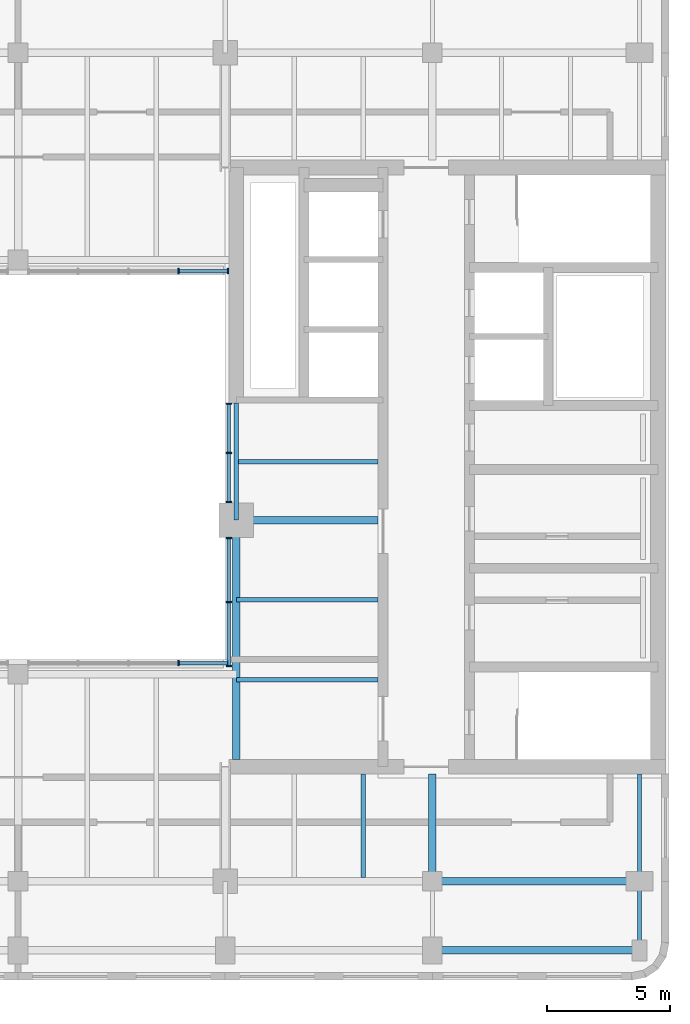
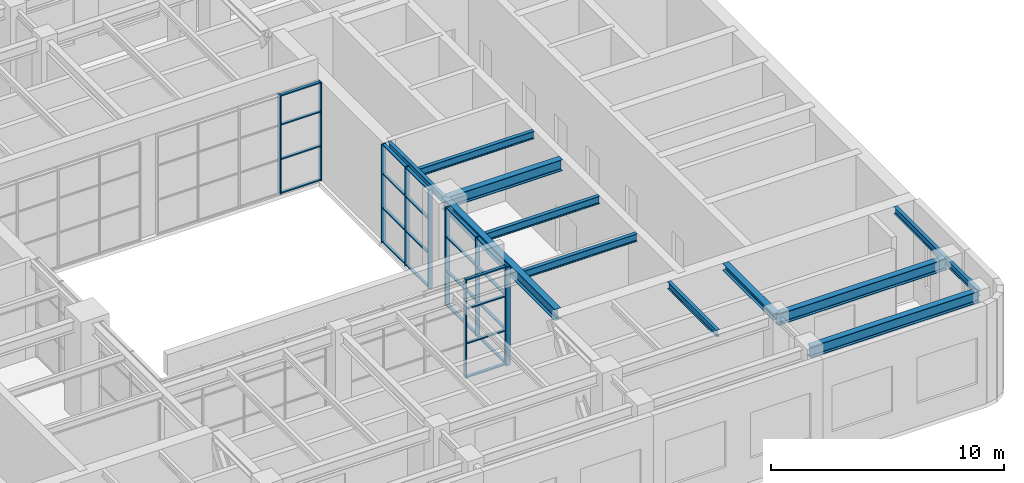
# One storey, part 4 of 11: 34 members, 12 beams, 4 elements without a shape of their own.
"""IFC4 building model written with IfcOpenShell, lengths in metres."""

from ifc_helpers import new_model, si_unit, direction, frame, origin, origin_2d, place, context, subcontext, project, spatial, rectangle, i_section, extrude, material, material_profile, profile_set, type_object, element, aggregate, save


model = new_model("IFC4")

# Units and contexts
model_context = context("Model", 3, precision=1e-05, world=origin(), true_north=direction((0.0, 1.0)))
body_context = subcontext(model_context, "Body", "Model", "MODEL_VIEW")
ifc_project = project(units=[si_unit("LENGTHUNIT", "METRE"), si_unit("AREAUNIT", "SQUARE_METRE"), si_unit("VOLUMEUNIT", "CUBIC_METRE"), si_unit("PLANEANGLEUNIT", "RADIAN"), si_unit("MASSUNIT", "GRAM", prefix="KILO")], contexts=[model_context])

# Site, building, storey
site_placement = place(None, origin())
site = spatial("IfcSite", under=ifc_project, at=site_placement, CompositionType="ELEMENT")
building_placement = place(site_placement, origin())
building = spatial("IfcBuilding", under=site, at=building_placement, Name="Claustro Exchange Tower", CompositionType="ELEMENT")
storey_placement = place(building_placement, frame((0.0, 0.0, 281.699951171875)))
storey = spatial("IfcBuildingStorey", under=building, at=storey_placement, Name="L64", CompositionType="ELEMENT", Elevation=281.699951171875)

# Beams
ifc_material_1 = material(Name="Steel S355", Category="steel")
ifc_material_profile_1 = material_profile(ifc_material_1, i_section(OverallWidth=0.300048828125, OverallDepth=0.590087890625, WebThickness=0.012939453125, FlangeThickness=0.02490234375, FilletRadius=0.027099609375, at=origin_2d()), Name="HE 600 A")
ifc_profile_set_1 = profile_set([ifc_material_profile_1], Name="Steel S355")
beam_type_1 = type_object("IfcBeamType", Name="B10 HE 600 A floor girder", PredefinedType="BEAM", material=ifc_profile_set_1)
for number, where, z_axis, x_axis, name in (
    (1, (42.0, 5.60009765625, 4.85498046875), (1.0, 0.0, 0.0), (0.0, 1.0, 0.0), "Beam B10 ROOF"),
    (2, (42.0, 8.39990234375, 4.85498046875), (1.0, 0.0, 0.0), (0.0, 1.0, 0.0), "Beam B10 ROOF"),
):
    element("IfcBeam", number, at=place(storey_placement, frame(where, z_axis=z_axis, x_axis=x_axis)), inside=storey, type_object=beam_type_1, Name=name, PredefinedType="BEAM", context=body_context, shape_type="SweptSolid", body=[
        extrude(i_section(OverallWidth=0.300048828125, OverallDepth=0.590087890625, WebThickness=0.012939453125, FlangeThickness=0.02490234375, FilletRadius=0.027099609375, at=origin_2d()), origin(), (0.0, 0.0, 1.0), 8.39990234375),
    ])
beam_1_placement = place(storey_placement, frame((34.050048828125, 23.050048828125, 4.85498046875), z_axis=(1.0, 0.0, 0.0), x_axis=(0.0, 1.0, 0.0)))
element("IfcBeam", 3, at=beam_1_placement, inside=storey, type_object=beam_type_1, Name="Beam B10 core step framing ROOF", PredefinedType="BEAM", context=body_context, shape_type="SweptSolid", body=[
    extrude(i_section(OverallWidth=0.300048828125, OverallDepth=0.590087890625, WebThickness=0.012939453125, FlangeThickness=0.02490234375, FilletRadius=0.027099609375, at=origin_2d()), origin(), (0.0, 0.0, 1.0), 5.75),
])
beam_2_placement = place(storey_placement, frame((34.050048828125, 13.35009765625, 4.85498046875), z_axis=(0.0, 1.0, 0.0), x_axis=(-1.0, 0.0, 0.0)))
element("IfcBeam", 4, at=beam_2_placement, inside=storey, type_object=beam_type_1, Name="Beam B10 core step framing ROOF", PredefinedType="BEAM", context=body_context, shape_type="SweptSolid", body=[
    extrude(i_section(OverallWidth=0.300048828125, OverallDepth=0.590087890625, WebThickness=0.012939453125, FlangeThickness=0.02490234375, FilletRadius=0.027099609375, at=origin_2d()), origin(), (0.0, 0.0, 1.0), 9.699951171875),
])
ifc_material_2 = material(Name="Steel S355", Category="steel")
ifc_material_profile_2 = material_profile(ifc_material_2, i_section(OverallWidth=0.179931640625, OverallDepth=0.39990234375, WebThickness=0.008544921875, FlangeThickness=0.013427734375, FilletRadius=0.02099609375, at=origin_2d()), Name="IPE 400")
ifc_profile_set_2 = profile_set([ifc_material_profile_2], Name="Steel S355")
beam_type_2 = type_object("IfcBeamType", Name="B11 IPE 400 secondary beam", PredefinedType="BEAM", material=ifc_profile_set_2)
for number, where, z_axis, x_axis, name in (
    (5, (34.050048828125, 16.583251953125, 4.949951171875), (1.0, 0.0, 0.0), (0.0, 1.0, 0.0), "Beam B11 core step framing ROOF"),
    (6, (34.050048828125, 19.816650390625, 4.949951171875), (1.0, 0.0, 0.0), (0.0, 1.0, 0.0), "Beam B11 core step framing ROOF"),
    (7, (34.050048828125, 25.425048828125, 4.949951171875), (1.0, 0.0, 0.0), (0.0, 1.0, 0.0), "Beam B11 core step framing ROOF"),
):
    element("IfcBeam", number, at=place(storey_placement, frame(where, z_axis=z_axis, x_axis=x_axis)), inside=storey, type_object=beam_type_2, Name=name, PredefinedType="BEAM", context=body_context, shape_type="SweptSolid", body=[
        extrude(i_section(OverallWidth=0.179931640625, OverallDepth=0.39990234375, WebThickness=0.008544921875, FlangeThickness=0.013427734375, FilletRadius=0.02099609375, at=origin_2d()), origin(), (0.0, 0.0, 1.0), 5.75),
    ])
ifc_material_3 = material(Name="Steel S355", Category="steel")
ifc_material_profile_3 = material_profile(ifc_material_3, i_section(OverallWidth=0.169921875, OverallDepth=0.360107421875, WebThickness=0.008056640625, FlangeThickness=0.0126953125, FilletRadius=0.01806640625, at=origin_2d()), Name="IPE 360")
ifc_profile_set_3 = profile_set([ifc_material_profile_3], Name="Steel S355")
beam_type_3 = type_object("IfcBeamType", Name="B16 IPE 360 short-span beam", PredefinedType="BEAM", material=ifc_profile_set_3)
beam_3_placement = place(storey_placement, frame((50.39990234375, 5.60009765625, 4.969970703125), z_axis=(0.0, 1.0, 0.0), x_axis=(-1.0, 0.0, 0.0)))
element("IfcBeam", 8, at=beam_3_placement, inside=storey, type_object=beam_type_3, Name="Beam B16 ROOF", PredefinedType="BEAM", context=body_context, shape_type="SweptSolid", body=[
    extrude(i_section(OverallWidth=0.169921875, OverallDepth=0.360107421875, WebThickness=0.008056640625, FlangeThickness=0.0126953125, FilletRadius=0.01806640625, at=origin_2d()), origin(), (0.0, 0.0, 1.0), 2.7998046875),
])
beam_4_placement = place(storey_placement, frame((50.39990234375, 8.39990234375, 4.969970703125), z_axis=(0.0, 1.0, 0.0), x_axis=(-1.0, 0.0, 0.0)))
element("IfcBeam", 9, at=beam_4_placement, inside=storey, type_object=beam_type_3, Name="Beam B16 ROOF", PredefinedType="BEAM", context=body_context, shape_type="SweptSolid", body=[
    extrude(i_section(OverallWidth=0.169921875, OverallDepth=0.360107421875, WebThickness=0.008056640625, FlangeThickness=0.0126953125, FilletRadius=0.01806640625, at=origin_2d()), origin(), (0.0, 0.0, 1.0), 4.35009765625),
])
beam_5_placement = place(storey_placement, frame((39.199951171875, 8.550048828125, 4.969970703125), z_axis=(0.0, 1.0, 0.0), x_axis=(-1.0, 0.0, 0.0)))
element("IfcBeam", 10, at=beam_5_placement, inside=storey, type_object=beam_type_3, Name="Beam B16 ROOF", PredefinedType="BEAM", context=body_context, shape_type="SweptSolid", body=[
    extrude(i_section(OverallWidth=0.169921875, OverallDepth=0.360107421875, WebThickness=0.008056640625, FlangeThickness=0.0126953125, FilletRadius=0.01806640625, at=origin_2d()), origin(), (0.0, 0.0, 1.0), 4.199951171875),
])
beam_6_placement = place(storey_placement, frame((34.050048828125, 23.050048828125, 4.969970703125), z_axis=(0.0, 1.0, 0.0), x_axis=(-1.0, 0.0, 0.0)))
element("IfcBeam", 11, at=beam_6_placement, inside=storey, type_object=beam_type_3, Name="Beam B16 core step framing ROOF", PredefinedType="BEAM", context=body_context, shape_type="SweptSolid", body=[
    extrude(i_section(OverallWidth=0.169921875, OverallDepth=0.360107421875, WebThickness=0.008056640625, FlangeThickness=0.0126953125, FilletRadius=0.01806640625, at=origin_2d()), origin(), (0.0, 0.0, 1.0), 4.75),
])
ifc_material_4 = material(Name="Steel S355", Category="steel")
ifc_material_profile_4 = material_profile(ifc_material_4, i_section(OverallWidth=0.300048828125, OverallDepth=0.360107421875, WebThickness=0.012451171875, FlangeThickness=0.0224609375, FilletRadius=0.027099609375, at=origin_2d()), Name="HE 360 B")
ifc_profile_set_4 = profile_set([ifc_material_profile_4], Name="Steel S355")
beam_type_4 = type_object("IfcBeamType", Name="B29 HE 360 B column to core link beam", PredefinedType="BEAM", material=ifc_profile_set_4)
beam_7_placement = place(storey_placement, frame((42.0, 8.39990234375, 4.969970703125), z_axis=(0.0, 1.0, 0.0), x_axis=(-1.0, 0.0, 0.0)))
element("IfcBeam", 12, at=beam_7_placement, inside=storey, type_object=beam_type_4, Name="Beam B29 ROOF", PredefinedType="BEAM", context=body_context, shape_type="SweptSolid", body=[
    extrude(i_section(OverallWidth=0.300048828125, OverallDepth=0.360107421875, WebThickness=0.012451171875, FlangeThickness=0.0224609375, FilletRadius=0.027099609375, at=origin_2d()), origin(), (0.0, 0.0, 1.0), 4.35009765625),
])

# Curtain wall, members
ifc_material_5 = material(Name="Aluminium frame, clear double glazing", Category="aluminium")
curtain_wall_type = type_object("IfcCurtainWallType", Name="CW4 plant louvre screen", PredefinedType="USERDEFINED", material=ifc_material_5)
curtain_wall_1_placement = place(storey_placement, origin())
curtain_wall_1 = element("IfcCurtainWall", 13, at=curtain_wall_1_placement, inside=storey, type_object=curtain_wall_type, Name="Curtain wall CW4 L64", ObjectType="STICK CURTAIN WALL", PredefinedType="USERDEFINED")
ifc_material_6 = material(Name="Aluminium mullion", Category="aluminium")
ifc_material_profile_5 = material_profile(ifc_material_6, rectangle(XDim=0.219970703125, YDim=0.06005859375, at=origin_2d()), Name="CW4-M 60x220")
ifc_profile_set_5 = profile_set([ifc_material_profile_5], Name="Aluminium mullion")
member_type_1 = type_object("IfcMemberType", Name="CW4-M 60 x 220 mullion", PredefinedType="MULLION", material=ifc_profile_set_5)
member_1_placement = place(storey_placement, frame((33.75, 17.1298828125, 0.0), z_axis=(0.0, 0.0, 1.0), x_axis=(-1.0, 0.0, 0.0)))
member_1 = element("IfcMember", 14, at=member_1_placement, type_object=member_type_1, Name="CW4 mullion 1", PredefinedType="MULLION", context=body_context, shape_type="SweptSolid", body=[
    extrude(rectangle(XDim=0.219970703125, YDim=0.06005859375, at=origin_2d()), origin(), (0.0, 0.0, 1.0), 5.150146484375),
])
member_2_placement = place(storey_placement, frame((33.75, 19.72509765625, 0.0), z_axis=(0.0, 0.0, 1.0), x_axis=(-1.0, 0.0, 0.0)))
member_2 = element("IfcMember", 15, at=member_2_placement, type_object=member_type_1, Name="CW4 mullion 2", PredefinedType="MULLION", context=body_context, shape_type="SweptSolid", body=[
    extrude(rectangle(XDim=0.219970703125, YDim=0.06005859375, at=origin_2d()), origin(), (0.0, 0.0, 1.0), 5.150146484375),
])
member_3_placement = place(storey_placement, frame((33.75, 22.320068359375, 0.0), z_axis=(0.0, 0.0, 1.0), x_axis=(-1.0, 0.0, 0.0)))
member_3 = element("IfcMember", 16, at=member_3_placement, type_object=member_type_1, Name="CW4 mullion 3", PredefinedType="MULLION", context=body_context, shape_type="SweptSolid", body=[
    extrude(rectangle(XDim=0.219970703125, YDim=0.06005859375, at=origin_2d()), origin(), (0.0, 0.0, 1.0), 5.150146484375),
])

curtain_wall_2_placement = place(storey_placement, origin())
curtain_wall_2 = element("IfcCurtainWall", 17, at=curtain_wall_2_placement, inside=storey, type_object=curtain_wall_type, Name="Curtain wall CW4 L64", ObjectType="STICK CURTAIN WALL", PredefinedType="USERDEFINED")
member_4_placement = place(storey_placement, frame((33.75, 23.780029296875, 0.0), z_axis=(0.0, 0.0, 1.0), x_axis=(-1.0, 0.0, 0.0)))
member_4 = element("IfcMember", 18, at=member_4_placement, type_object=member_type_1, Name="CW4 mullion 1", PredefinedType="MULLION", context=body_context, shape_type="SweptSolid", body=[
    extrude(rectangle(XDim=0.219970703125, YDim=0.06005859375, at=origin_2d()), origin(), (0.0, 0.0, 1.0), 5.150146484375),
])
member_5_placement = place(storey_placement, frame((33.75, 25.77490234375, 0.0), z_axis=(0.0, 0.0, 1.0), x_axis=(-1.0, 0.0, 0.0)))
member_5 = element("IfcMember", 19, at=member_5_placement, type_object=member_type_1, Name="CW4 mullion 2", PredefinedType="MULLION", context=body_context, shape_type="SweptSolid", body=[
    extrude(rectangle(XDim=0.219970703125, YDim=0.06005859375, at=origin_2d()), origin(), (0.0, 0.0, 1.0), 5.150146484375),
])
member_6_placement = place(storey_placement, frame((33.75, 27.77001953125, 0.0), z_axis=(0.0, 0.0, 1.0), x_axis=(-1.0, 0.0, 0.0)))
member_6 = element("IfcMember", 20, at=member_6_placement, type_object=member_type_1, Name="CW4 mullion 3", PredefinedType="MULLION", context=body_context, shape_type="SweptSolid", body=[
    extrude(rectangle(XDim=0.219970703125, YDim=0.06005859375, at=origin_2d()), origin(), (0.0, 0.0, 1.0), 5.150146484375),
])

curtain_wall_3_placement = place(storey_placement, origin())
curtain_wall_3 = element("IfcCurtainWall", 21, at=curtain_wall_3_placement, inside=storey, type_object=curtain_wall_type, Name="Curtain wall CW4 L64", ObjectType="STICK CURTAIN WALL", PredefinedType="USERDEFINED")
member_7_placement = place(storey_placement, frame((31.71240234375, 17.25, 0.0), z_axis=(0.0, 0.0, 1.0), x_axis=(0.0, 1.0, 0.0)))
member_7 = element("IfcMember", 22, at=member_7_placement, type_object=member_type_1, Name="CW4 mullion 4", PredefinedType="MULLION", context=body_context, shape_type="SweptSolid", body=[
    extrude(rectangle(XDim=0.219970703125, YDim=0.06005859375, at=origin_2d()), origin(), (0.0, 0.0, 1.0), 5.150146484375),
])
member_8_placement = place(storey_placement, frame((33.719970703125, 17.25, 0.0), z_axis=(0.0, 0.0, 1.0), x_axis=(0.0, 1.0, 0.0)))
member_8 = element("IfcMember", 23, at=member_8_placement, type_object=member_type_1, Name="CW4 mullion 5", PredefinedType="MULLION", context=body_context, shape_type="SweptSolid", body=[
    extrude(rectangle(XDim=0.219970703125, YDim=0.06005859375, at=origin_2d()), origin(), (0.0, 0.0, 1.0), 5.150146484375),
])

curtain_wall_4_placement = place(storey_placement, origin())
curtain_wall_4 = element("IfcCurtainWall", 24, at=curtain_wall_4_placement, inside=storey, type_object=curtain_wall_type, Name="Curtain wall CW4 L64", ObjectType="STICK CURTAIN WALL", PredefinedType="USERDEFINED")
member_9_placement = place(storey_placement, frame((31.71240234375, 33.14990234375, 0.0), z_axis=(0.0, 0.0, 1.0), x_axis=(0.0, 1.0, 0.0)))
member_9 = element("IfcMember", 25, at=member_9_placement, type_object=member_type_1, Name="CW4 mullion 4", PredefinedType="MULLION", context=body_context, shape_type="SweptSolid", body=[
    extrude(rectangle(XDim=0.219970703125, YDim=0.06005859375, at=origin_2d()), origin(), (0.0, 0.0, 1.0), 5.150146484375),
])
member_10_placement = place(storey_placement, frame((33.719970703125, 33.14990234375, 0.0), z_axis=(0.0, 0.0, 1.0), x_axis=(0.0, 1.0, 0.0)))
member_10 = element("IfcMember", 26, at=member_10_placement, type_object=member_type_1, Name="CW4 mullion 5", PredefinedType="MULLION", context=body_context, shape_type="SweptSolid", body=[
    extrude(rectangle(XDim=0.219970703125, YDim=0.06005859375, at=origin_2d()), origin(), (0.0, 0.0, 1.0), 5.150146484375),
])

# Member
ifc_material_7 = material(Name="Aluminium transom", Category="aluminium")
ifc_material_profile_6 = material_profile(ifc_material_7, rectangle(XDim=0.139892578125, YDim=0.06005859375, at=origin_2d()), Name="CW4-T 60x140")
ifc_profile_set_6 = profile_set([ifc_material_profile_6], Name="Aluminium transom")
member_type_2 = type_object("IfcMemberType", Name="CW4-T 60 x 140 transom", PredefinedType="USERDEFINED", material=ifc_profile_set_6)
member_11_placement = place(storey_placement, frame((33.75, 17.159912109375, 0.030029296875), z_axis=(0.0, 1.0, 0.0), x_axis=(-1.0, 0.0, 0.0)))
member_11 = element("IfcMember", 27, at=member_11_placement, type_object=member_type_2, Name="CW4 transom 1.1", ObjectType="TRANSOM", PredefinedType="USERDEFINED", context=body_context, shape_type="SweptSolid", body=[
    extrude(rectangle(XDim=0.139892578125, YDim=0.06005859375, at=origin_2d()), origin(), (0.0, 0.0, 1.0), 2.53515625),
])

member_12_placement = place(storey_placement, frame((33.75, 17.159912109375, 1.800048828125), z_axis=(0.0, 1.0, 0.0), x_axis=(-1.0, 0.0, 0.0)))
member_12 = element("IfcMember", 28, at=member_12_placement, type_object=member_type_2, Name="CW4 transom 1.2", ObjectType="TRANSOM", PredefinedType="USERDEFINED", context=body_context, shape_type="SweptSolid", body=[
    extrude(rectangle(XDim=0.139892578125, YDim=0.06005859375, at=origin_2d()), origin(), (0.0, 0.0, 1.0), 2.53515625),
])

member_13_placement = place(storey_placement, frame((33.75, 17.159912109375, 3.60009765625), z_axis=(0.0, 1.0, 0.0), x_axis=(-1.0, 0.0, 0.0)))
member_13 = element("IfcMember", 29, at=member_13_placement, type_object=member_type_2, Name="CW4 transom 1.3", ObjectType="TRANSOM", PredefinedType="USERDEFINED", context=body_context, shape_type="SweptSolid", body=[
    extrude(rectangle(XDim=0.139892578125, YDim=0.06005859375, at=origin_2d()), origin(), (0.0, 0.0, 1.0), 2.53515625),
])

member_14_placement = place(storey_placement, frame((33.75, 17.159912109375, 5.1201171875), z_axis=(0.0, 1.0, 0.0), x_axis=(-1.0, 0.0, 0.0)))
member_14 = element("IfcMember", 30, at=member_14_placement, type_object=member_type_2, Name="CW4 transom 1.4", ObjectType="TRANSOM", PredefinedType="USERDEFINED", context=body_context, shape_type="SweptSolid", body=[
    extrude(rectangle(XDim=0.139892578125, YDim=0.06005859375, at=origin_2d()), origin(), (0.0, 0.0, 1.0), 2.53515625),
])

member_15_placement = place(storey_placement, frame((33.75, 19.7548828125, 0.030029296875), z_axis=(0.0, 1.0, 0.0), x_axis=(-1.0, 0.0, 0.0)))
member_15 = element("IfcMember", 31, at=member_15_placement, type_object=member_type_2, Name="CW4 transom 2.1", ObjectType="TRANSOM", PredefinedType="USERDEFINED", context=body_context, shape_type="SweptSolid", body=[
    extrude(rectangle(XDim=0.139892578125, YDim=0.06005859375, at=origin_2d()), origin(), (0.0, 0.0, 1.0), 2.53515625),
])

member_16_placement = place(storey_placement, frame((33.75, 19.7548828125, 1.800048828125), z_axis=(0.0, 1.0, 0.0), x_axis=(-1.0, 0.0, 0.0)))
member_16 = element("IfcMember", 32, at=member_16_placement, type_object=member_type_2, Name="CW4 transom 2.2", ObjectType="TRANSOM", PredefinedType="USERDEFINED", context=body_context, shape_type="SweptSolid", body=[
    extrude(rectangle(XDim=0.139892578125, YDim=0.06005859375, at=origin_2d()), origin(), (0.0, 0.0, 1.0), 2.53515625),
])

member_17_placement = place(storey_placement, frame((33.75, 19.7548828125, 3.60009765625), z_axis=(0.0, 1.0, 0.0), x_axis=(-1.0, 0.0, 0.0)))
member_17 = element("IfcMember", 33, at=member_17_placement, type_object=member_type_2, Name="CW4 transom 2.3", ObjectType="TRANSOM", PredefinedType="USERDEFINED", context=body_context, shape_type="SweptSolid", body=[
    extrude(rectangle(XDim=0.139892578125, YDim=0.06005859375, at=origin_2d()), origin(), (0.0, 0.0, 1.0), 2.53515625),
])

member_18_placement = place(storey_placement, frame((33.75, 19.7548828125, 5.1201171875), z_axis=(0.0, 1.0, 0.0), x_axis=(-1.0, 0.0, 0.0)))
member_18 = element("IfcMember", 34, at=member_18_placement, type_object=member_type_2, Name="CW4 transom 2.4", ObjectType="TRANSOM", PredefinedType="USERDEFINED", context=body_context, shape_type="SweptSolid", body=[
    extrude(rectangle(XDim=0.139892578125, YDim=0.06005859375, at=origin_2d()), origin(), (0.0, 0.0, 1.0), 2.53515625),
])

aggregate(curtain_wall_1, [member_1, member_2, member_3, member_11, member_12, member_13, member_14, member_15, member_16, member_17, member_18])

member_19_placement = place(storey_placement, frame((33.75, 23.81005859375, 0.030029296875), z_axis=(0.0, 1.0, 0.0), x_axis=(-1.0, 0.0, 0.0)))
member_19 = element("IfcMember", 35, at=member_19_placement, type_object=member_type_2, Name="CW4 transom 1.1", ObjectType="TRANSOM", PredefinedType="USERDEFINED", context=body_context, shape_type="SweptSolid", body=[
    extrude(rectangle(XDim=0.139892578125, YDim=0.06005859375, at=origin_2d()), origin(), (0.0, 0.0, 1.0), 1.93505859375),
])

member_20_placement = place(storey_placement, frame((33.75, 23.81005859375, 1.800048828125), z_axis=(0.0, 1.0, 0.0), x_axis=(-1.0, 0.0, 0.0)))
member_20 = element("IfcMember", 36, at=member_20_placement, type_object=member_type_2, Name="CW4 transom 1.2", ObjectType="TRANSOM", PredefinedType="USERDEFINED", context=body_context, shape_type="SweptSolid", body=[
    extrude(rectangle(XDim=0.139892578125, YDim=0.06005859375, at=origin_2d()), origin(), (0.0, 0.0, 1.0), 1.93505859375),
])

member_21_placement = place(storey_placement, frame((33.75, 23.81005859375, 3.60009765625), z_axis=(0.0, 1.0, 0.0), x_axis=(-1.0, 0.0, 0.0)))
member_21 = element("IfcMember", 37, at=member_21_placement, type_object=member_type_2, Name="CW4 transom 1.3", ObjectType="TRANSOM", PredefinedType="USERDEFINED", context=body_context, shape_type="SweptSolid", body=[
    extrude(rectangle(XDim=0.139892578125, YDim=0.06005859375, at=origin_2d()), origin(), (0.0, 0.0, 1.0), 1.93505859375),
])

member_22_placement = place(storey_placement, frame((33.75, 23.81005859375, 5.1201171875), z_axis=(0.0, 1.0, 0.0), x_axis=(-1.0, 0.0, 0.0)))
member_22 = element("IfcMember", 38, at=member_22_placement, type_object=member_type_2, Name="CW4 transom 1.4", ObjectType="TRANSOM", PredefinedType="USERDEFINED", context=body_context, shape_type="SweptSolid", body=[
    extrude(rectangle(XDim=0.139892578125, YDim=0.06005859375, at=origin_2d()), origin(), (0.0, 0.0, 1.0), 1.93505859375),
])

member_23_placement = place(storey_placement, frame((33.75, 25.804931640625, 0.030029296875), z_axis=(0.0, 1.0, 0.0), x_axis=(-1.0, 0.0, 0.0)))
member_23 = element("IfcMember", 39, at=member_23_placement, type_object=member_type_2, Name="CW4 transom 2.1", ObjectType="TRANSOM", PredefinedType="USERDEFINED", context=body_context, shape_type="SweptSolid", body=[
    extrude(rectangle(XDim=0.139892578125, YDim=0.06005859375, at=origin_2d()), origin(), (0.0, 0.0, 1.0), 1.93505859375),
])

member_24_placement = place(storey_placement, frame((33.75, 25.804931640625, 1.800048828125), z_axis=(0.0, 1.0, 0.0), x_axis=(-1.0, 0.0, 0.0)))
member_24 = element("IfcMember", 40, at=member_24_placement, type_object=member_type_2, Name="CW4 transom 2.2", ObjectType="TRANSOM", PredefinedType="USERDEFINED", context=body_context, shape_type="SweptSolid", body=[
    extrude(rectangle(XDim=0.139892578125, YDim=0.06005859375, at=origin_2d()), origin(), (0.0, 0.0, 1.0), 1.93505859375),
])

member_25_placement = place(storey_placement, frame((33.75, 25.804931640625, 3.60009765625), z_axis=(0.0, 1.0, 0.0), x_axis=(-1.0, 0.0, 0.0)))
member_25 = element("IfcMember", 41, at=member_25_placement, type_object=member_type_2, Name="CW4 transom 2.3", ObjectType="TRANSOM", PredefinedType="USERDEFINED", context=body_context, shape_type="SweptSolid", body=[
    extrude(rectangle(XDim=0.139892578125, YDim=0.06005859375, at=origin_2d()), origin(), (0.0, 0.0, 1.0), 1.93505859375),
])

member_26_placement = place(storey_placement, frame((33.75, 25.804931640625, 5.1201171875), z_axis=(0.0, 1.0, 0.0), x_axis=(-1.0, 0.0, 0.0)))
member_26 = element("IfcMember", 42, at=member_26_placement, type_object=member_type_2, Name="CW4 transom 2.4", ObjectType="TRANSOM", PredefinedType="USERDEFINED", context=body_context, shape_type="SweptSolid", body=[
    extrude(rectangle(XDim=0.139892578125, YDim=0.06005859375, at=origin_2d()), origin(), (0.0, 0.0, 1.0), 1.93505859375),
])

aggregate(curtain_wall_2, [member_4, member_5, member_6, member_19, member_20, member_21, member_22, member_23, member_24, member_25, member_26])

member_27_placement = place(storey_placement, frame((31.742431640625, 17.25, 0.030029296875), z_axis=(1.0, 0.0, 0.0), x_axis=(0.0, 1.0, 0.0)))
member_27 = element("IfcMember", 43, at=member_27_placement, type_object=member_type_2, Name="CW4 transom 4.1", ObjectType="TRANSOM", PredefinedType="USERDEFINED", context=body_context, shape_type="SweptSolid", body=[
    extrude(rectangle(XDim=0.139892578125, YDim=0.06005859375, at=origin_2d()), origin(), (0.0, 0.0, 1.0), 1.947509765625),
])

member_28_placement = place(storey_placement, frame((31.742431640625, 17.25, 1.800048828125), z_axis=(1.0, 0.0, 0.0), x_axis=(0.0, 1.0, 0.0)))
member_28 = element("IfcMember", 44, at=member_28_placement, type_object=member_type_2, Name="CW4 transom 4.2", ObjectType="TRANSOM", PredefinedType="USERDEFINED", context=body_context, shape_type="SweptSolid", body=[
    extrude(rectangle(XDim=0.139892578125, YDim=0.06005859375, at=origin_2d()), origin(), (0.0, 0.0, 1.0), 1.947509765625),
])

member_29_placement = place(storey_placement, frame((31.742431640625, 17.25, 3.60009765625), z_axis=(1.0, 0.0, 0.0), x_axis=(0.0, 1.0, 0.0)))
member_29 = element("IfcMember", 45, at=member_29_placement, type_object=member_type_2, Name="CW4 transom 4.3", ObjectType="TRANSOM", PredefinedType="USERDEFINED", context=body_context, shape_type="SweptSolid", body=[
    extrude(rectangle(XDim=0.139892578125, YDim=0.06005859375, at=origin_2d()), origin(), (0.0, 0.0, 1.0), 1.947509765625),
])

member_30_placement = place(storey_placement, frame((31.742431640625, 17.25, 5.1201171875), z_axis=(1.0, 0.0, 0.0), x_axis=(0.0, 1.0, 0.0)))
member_30 = element("IfcMember", 46, at=member_30_placement, type_object=member_type_2, Name="CW4 transom 4.4", ObjectType="TRANSOM", PredefinedType="USERDEFINED", context=body_context, shape_type="SweptSolid", body=[
    extrude(rectangle(XDim=0.139892578125, YDim=0.06005859375, at=origin_2d()), origin(), (0.0, 0.0, 1.0), 1.947509765625),
])

aggregate(curtain_wall_3, [member_7, member_8, member_27, member_28, member_29, member_30])

member_31_placement = place(storey_placement, frame((31.742431640625, 33.14990234375, 0.030029296875), z_axis=(1.0, 0.0, 0.0), x_axis=(0.0, 1.0, 0.0)))
member_31 = element("IfcMember", 47, at=member_31_placement, type_object=member_type_2, Name="CW4 transom 4.1", ObjectType="TRANSOM", PredefinedType="USERDEFINED", context=body_context, shape_type="SweptSolid", body=[
    extrude(rectangle(XDim=0.139892578125, YDim=0.06005859375, at=origin_2d()), origin(), (0.0, 0.0, 1.0), 1.947509765625),
])

member_32_placement = place(storey_placement, frame((31.742431640625, 33.14990234375, 1.800048828125), z_axis=(1.0, 0.0, 0.0), x_axis=(0.0, 1.0, 0.0)))
member_32 = element("IfcMember", 48, at=member_32_placement, type_object=member_type_2, Name="CW4 transom 4.2", ObjectType="TRANSOM", PredefinedType="USERDEFINED", context=body_context, shape_type="SweptSolid", body=[
    extrude(rectangle(XDim=0.139892578125, YDim=0.06005859375, at=origin_2d()), origin(), (0.0, 0.0, 1.0), 1.947509765625),
])

member_33_placement = place(storey_placement, frame((31.742431640625, 33.14990234375, 3.60009765625), z_axis=(1.0, 0.0, 0.0), x_axis=(0.0, 1.0, 0.0)))
member_33 = element("IfcMember", 49, at=member_33_placement, type_object=member_type_2, Name="CW4 transom 4.3", ObjectType="TRANSOM", PredefinedType="USERDEFINED", context=body_context, shape_type="SweptSolid", body=[
    extrude(rectangle(XDim=0.139892578125, YDim=0.06005859375, at=origin_2d()), origin(), (0.0, 0.0, 1.0), 1.947509765625),
])

member_34_placement = place(storey_placement, frame((31.742431640625, 33.14990234375, 5.1201171875), z_axis=(1.0, 0.0, 0.0), x_axis=(0.0, 1.0, 0.0)))
member_34 = element("IfcMember", 50, at=member_34_placement, type_object=member_type_2, Name="CW4 transom 4.4", ObjectType="TRANSOM", PredefinedType="USERDEFINED", context=body_context, shape_type="SweptSolid", body=[
    extrude(rectangle(XDim=0.139892578125, YDim=0.06005859375, at=origin_2d()), origin(), (0.0, 0.0, 1.0), 1.947509765625),
])

aggregate(curtain_wall_4, [member_9, member_10, member_31, member_32, member_33, member_34])

save(model, "model.ifc")
